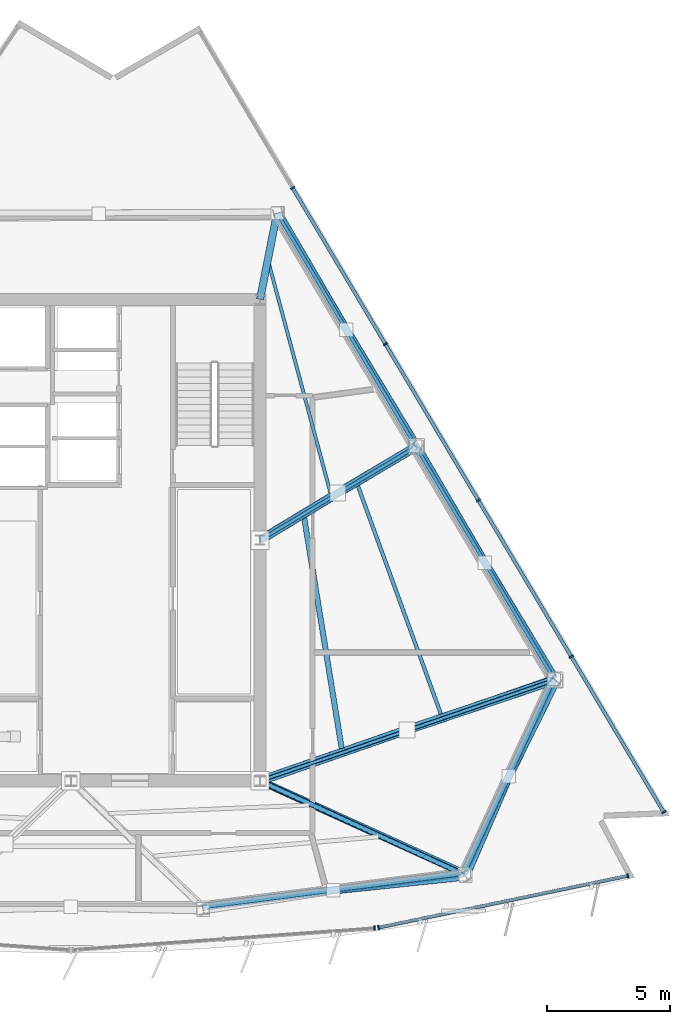
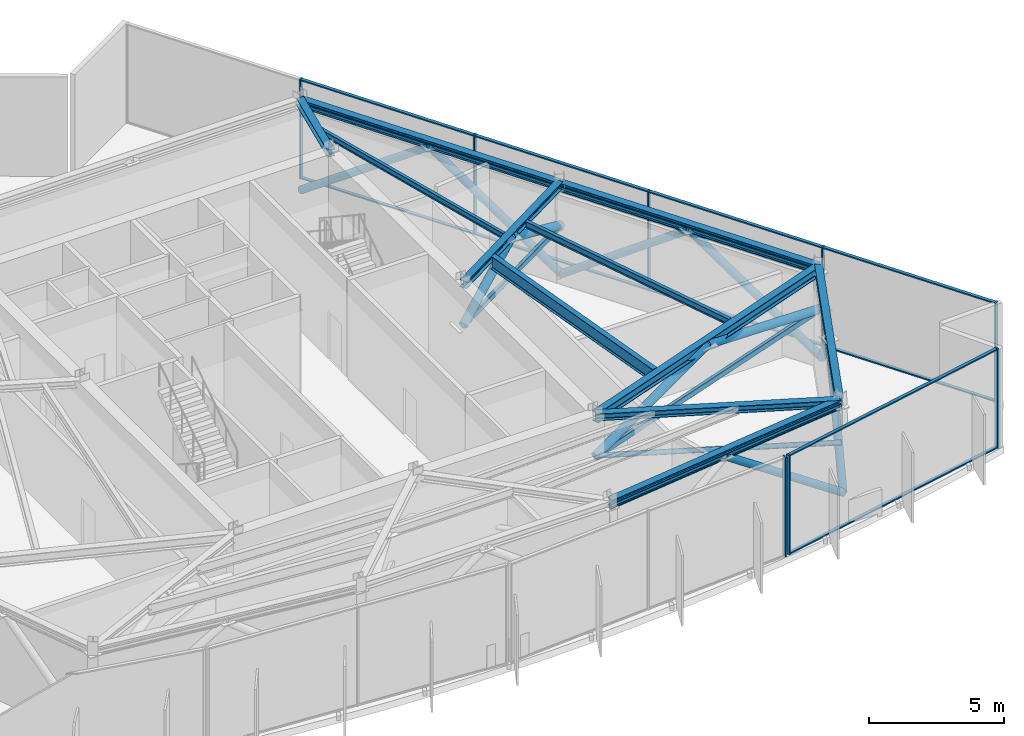
# One storey, part 5 of 14: 36 members, 11 beams, 3 elements without a shape of their own.
"""IFC4 building model written with IfcOpenShell, lengths in metres."""

from ifc_helpers import new_model, si_unit, direction, frame, origin, origin_2d, place, context, subcontext, project, spatial, rectangle, hollow_rectangle, hollow_circle, i_section, extrude, material, material_profile, profile_set, type_object, element, aggregate, save


model = new_model("IFC4")

# Units and contexts
model_context = context("Model", 3, precision=1e-05, world=origin(), true_north=direction((0.0, 1.0)))
body_context = subcontext(model_context, "Body", "Model", "MODEL_VIEW")
ifc_project = project(units=[si_unit("LENGTHUNIT", "METRE"), si_unit("AREAUNIT", "SQUARE_METRE"), si_unit("VOLUMEUNIT", "CUBIC_METRE"), si_unit("PLANEANGLEUNIT", "RADIAN"), si_unit("MASSUNIT", "GRAM", prefix="KILO")], contexts=[model_context])

# Site, building, storey
site_placement = place(None, origin())
site = spatial("IfcSite", under=ifc_project, at=site_placement, CompositionType="ELEMENT")
building_placement = place(site_placement, origin())
building = spatial("IfcBuilding", under=site, at=building_placement, Name="Savorim Split Tower", CompositionType="ELEMENT")
storey_placement = place(building_placement, frame((0.0, 0.0, 241.5)))
storey = spatial("IfcBuildingStorey", under=building, at=storey_placement, Name="L64", CompositionType="ELEMENT", Elevation=241.5)

# Beams
ifc_material_1 = material(Name="Steel S355", Category="steel")
ifc_material_profile_1 = material_profile(ifc_material_1, i_section(OverallWidth=0.135009765625, OverallDepth=0.27001953125, WebThickness=0.006591796875, FlangeThickness=0.01025390625, FilletRadius=0.014892578125, at=origin_2d()), Name="IPE 270")
ifc_profile_set_1 = profile_set([ifc_material_profile_1], Name="Steel S355")
beam_type_1 = type_object("IfcBeamType", Name="BM-JST-IPE270", PredefinedType="JOIST", material=ifc_profile_set_1)
beam_1_placement = place(storey_placement, frame((10.56982421875, 2.316162109375, 4.364990234375), z_axis=(-0.259425951012, 0.965763001953, 0.0), x_axis=(-0.965763001953, -0.259425951012, 0.0)))
element("IfcBeam", 1, at=beam_1_placement, inside=storey, type_object=beam_type_1, Name="L64 Secondary Floor Joist JS-07", PredefinedType="JOIST", context=body_context, shape_type="SweptSolid", body=[
    extrude(i_section(OverallWidth=0.135009765625, OverallDepth=0.27001953125, WebThickness=0.006591796875, FlangeThickness=0.01025390625, FilletRadius=0.014892578125, at=origin_2d()), origin(), (0.0, 0.0, 1.0), 9.67529296875),
])
ifc_material_profile_2 = material_profile(ifc_material_1, i_section(OverallWidth=0.14990234375, OverallDepth=0.300048828125, WebThickness=0.007080078125, FlangeThickness=0.0107421875, FilletRadius=0.014892578125, at=origin_2d()), Name="IPE 300")
ifc_profile_set_2 = profile_set([ifc_material_profile_2], Name="Steel S355")
beam_type_2 = type_object("IfcBeamType", Name="BM-JST-IPE300", PredefinedType="JOIST", material=ifc_profile_set_2)
beam_2_placement = place(storey_placement, frame((15.064453125, -6.677490234375, 4.35009765625), z_axis=(-0.342044057636, 0.939683916344, 0.0), x_axis=(-0.939683916344, -0.342044057636, 0.0)))
element("IfcBeam", 2, at=beam_2_placement, inside=storey, type_object=beam_type_2, Name="L64 Secondary Floor Joist JS-06", PredefinedType="JOIST", context=body_context, shape_type="SweptSolid", body=[
    extrude(i_section(OverallWidth=0.14990234375, OverallDepth=0.300048828125, WebThickness=0.007080078125, FlangeThickness=0.0107421875, FilletRadius=0.014892578125, at=origin_2d()), origin(), (0.0, 0.0, 1.0), 9.8984375),
])
ifc_material_profile_3 = material_profile(ifc_material_1, i_section(OverallWidth=0.219970703125, OverallDepth=0.60009765625, WebThickness=0.011962890625, FlangeThickness=0.01904296875, FilletRadius=0.02392578125, at=origin_2d()), Name="IPE 600")
ifc_profile_set_3 = profile_set([ifc_material_profile_3], Name="Steel S355")
beam_type_3 = type_object("IfcBeamType", Name="BM-JST-IPE600", PredefinedType="JOIST", material=ifc_profile_set_3)
beam_3_placement = place(storey_placement, frame((11.02490234375, -8.080322265625, 4.199951171875), z_axis=(-0.160441988875, 0.987045271609, 0.0), x_axis=(-0.987045271609, -0.160441988875, 0.0)))
element("IfcBeam", 3, at=beam_3_placement, inside=storey, type_object=beam_type_3, Name="L64 Secondary Floor Joist JS-08", PredefinedType="JOIST", context=body_context, shape_type="SweptSolid", body=[
    extrude(i_section(OverallWidth=0.219970703125, OverallDepth=0.60009765625, WebThickness=0.011962890625, FlangeThickness=0.01904296875, FilletRadius=0.02392578125, at=origin_2d()), origin(), (0.0, 0.0, 1.0), 9.51806640625),
])
ifc_material_profile_4 = material_profile(ifc_material_1, i_section(OverallWidth=0.300048828125, OverallDepth=0.320068359375, WebThickness=0.011474609375, FlangeThickness=0.0205078125, FilletRadius=0.027099609375, at=origin_2d()), Name="HEB 320")
ifc_profile_set_4 = profile_set([ifc_material_profile_4], Name="Steel S355")
beam_type_4 = type_object("IfcBeamType", Name="BM-PRI-HEB320", PredefinedType="BEAM", material=ifc_profile_set_4)
beam_4_placement = place(storey_placement, frame((16.001708984375, -13.169189453125, 4.340087890625), z_axis=(-0.910541549997, 0.413417568239, 0.0), x_axis=(-0.413417568239, -0.910541549997, 0.0)))
element("IfcBeam", 4, at=beam_4_placement, inside=storey, type_object=beam_type_4, Name="L64 Primary Floor Girder RG-04", PredefinedType="BEAM", context=body_context, shape_type="SweptSolid", body=[
    extrude(i_section(OverallWidth=0.300048828125, OverallDepth=0.320068359375, WebThickness=0.011474609375, FlangeThickness=0.0205078125, FilletRadius=0.027099609375, at=origin_2d()), origin(), (0.0, 0.0, 1.0), 9.117431640625),
])
beam_5_placement = place(storey_placement, frame((14.029052734375, 4.2294921875, 4.340087890625), z_axis=(-0.855570861127, -0.517685717005, 0.0), x_axis=(0.517685717005, -0.855570861127, 0.0)))
element("IfcBeam", 5, at=beam_5_placement, inside=storey, type_object=beam_type_4, Name="L64 Primary Floor Girder RG-06", PredefinedType="BEAM", context=body_context, shape_type="SweptSolid", body=[
    extrude(i_section(OverallWidth=0.300048828125, OverallDepth=0.320068359375, WebThickness=0.011474609375, FlangeThickness=0.0205078125, FilletRadius=0.027099609375, at=origin_2d()), origin(), (0.0, 0.0, 1.0), 7.3974609375),
])
beam_6_placement = place(storey_placement, frame((8.3916015625, 13.7099609375, 4.340087890625), z_axis=(-0.193333121011, -0.981133173591, 0.0), x_axis=(0.981133173591, -0.193333121011, 0.0)))
element("IfcBeam", 6, at=beam_6_placement, inside=storey, type_object=beam_type_4, Name="L64 Primary Floor Girder RG-07", PredefinedType="BEAM", context=body_context, shape_type="SweptSolid", body=[
    extrude(i_section(OverallWidth=0.300048828125, OverallDepth=0.320068359375, WebThickness=0.011474609375, FlangeThickness=0.0205078125, FilletRadius=0.027099609375, at=origin_2d()), origin(), (0.0, 0.0, 1.0), 3.577392578125),
])
ifc_material_profile_5 = material_profile(ifc_material_1, i_section(OverallWidth=0.300048828125, OverallDepth=0.449951171875, WebThickness=0.013916015625, FlangeThickness=0.02587890625, FilletRadius=0.027099609375, at=origin_2d()), Name="HEB 450")
ifc_profile_set_5 = profile_set([ifc_material_profile_5], Name="Steel S355")
beam_type_5 = type_object("IfcBeamType", Name="BM-PRI-HEB450", PredefinedType="BEAM", material=ifc_profile_set_5)
beam_7_placement = place(storey_placement, frame((19.66650390625, -5.251220703125, 4.27490234375), z_axis=(-0.944829437355, -0.327562718127, 0.0), x_axis=(0.327562718127, -0.944829437355, 0.0)))
element("IfcBeam", 7, at=beam_7_placement, inside=storey, type_object=beam_type_5, Name="L64 Primary Floor Girder RG-05", PredefinedType="BEAM", context=body_context, shape_type="SweptSolid", body=[
    extrude(i_section(OverallWidth=0.300048828125, OverallDepth=0.449951171875, WebThickness=0.013916015625, FlangeThickness=0.02587890625, FilletRadius=0.027099609375, at=origin_2d()), origin(), (0.0, 0.0, 1.0), 12.665283203125),
])
ifc_material_profile_6 = material_profile(ifc_material_1, i_section(OverallWidth=0.300048828125, OverallDepth=0.35009765625, WebThickness=0.010009765625, FlangeThickness=0.017578125, FilletRadius=0.027099609375, at=origin_2d()), Name="HEA 360")
ifc_profile_set_6 = profile_set([ifc_material_profile_6], Name="Steel S355")
beam_type_6 = type_object("IfcBeamType", Name="BM-SPN-HEA360", PredefinedType="SPANDREL", material=ifc_profile_set_6)
beam_8_placement = place(storey_placement, frame((5.363037109375, -14.534912109375, 4.324951171875), z_axis=(0.991860597324, 0.127328533629, 0.0), x_axis=(-0.127328533629, 0.991860597324, 0.0)))
element("IfcBeam", 8, at=beam_8_placement, inside=storey, type_object=beam_type_6, Name="L64 Perimeter Spandrel Beam 3", PredefinedType="SPANDREL", context=body_context, shape_type="SweptSolid", body=[
    extrude(i_section(OverallWidth=0.300048828125, OverallDepth=0.35009765625, WebThickness=0.010009765625, FlangeThickness=0.017578125, FilletRadius=0.027099609375, at=origin_2d()), origin(), (0.0, 0.0, 1.0), 10.72607421875),
])
beam_9_placement = place(storey_placement, frame((16.001708984375, -13.169189453125, 4.324951171875), z_axis=(0.420035661542, 0.907507599435, 0.0), x_axis=(-0.907507599435, 0.420035661542, 0.0)))
element("IfcBeam", 9, at=beam_9_placement, inside=storey, type_object=beam_type_6, Name="L64 Perimeter Spandrel Beam 4", PredefinedType="SPANDREL", context=body_context, shape_type="SweptSolid", body=[
    extrude(i_section(OverallWidth=0.300048828125, OverallDepth=0.35009765625, WebThickness=0.010009765625, FlangeThickness=0.017578125, FilletRadius=0.027099609375, at=origin_2d()), origin(), (0.0, 0.0, 1.0), 8.724853515625),
])
beam_10_placement = place(storey_placement, frame((19.66650390625, -5.251220703125, 4.324951171875), z_axis=(-0.511093513164, 0.859525113538, 0.0), x_axis=(-0.859525113538, -0.511093513164, 0.0)))
element("IfcBeam", 10, at=beam_10_placement, inside=storey, type_object=beam_type_6, Name="L64 Perimeter Spandrel Beam 5", PredefinedType="SPANDREL", context=body_context, shape_type="SweptSolid", body=[
    extrude(i_section(OverallWidth=0.300048828125, OverallDepth=0.35009765625, WebThickness=0.010009765625, FlangeThickness=0.017578125, FilletRadius=0.027099609375, at=origin_2d()), origin(), (0.0, 0.0, 1.0), 11.0302734375),
])
beam_11_placement = place(storey_placement, frame((14.029052734375, 4.2294921875, 4.324951171875), z_axis=(-0.511103236681, 0.859519331635, 0.0), x_axis=(-0.859519331635, -0.511103236681, 0.0)))
element("IfcBeam", 11, at=beam_11_placement, inside=storey, type_object=beam_type_6, Name="L64 Perimeter Spandrel Beam 6", PredefinedType="SPANDREL", context=body_context, shape_type="SweptSolid", body=[
    extrude(i_section(OverallWidth=0.300048828125, OverallDepth=0.35009765625, WebThickness=0.010009765625, FlangeThickness=0.017578125, FilletRadius=0.027099609375, at=origin_2d()), origin(), (0.0, 0.0, 1.0), 11.030029296875),
])

# Curtain wall, member
ifc_material_2 = material(Name="Dark Ceramic-Fritted Insulated Glass", Category="glass")
curtain_wall_type = type_object("IfcCurtainWallType", Name="CW-REFUGE-LVR", PredefinedType="NOTDEFINED", material=ifc_material_2)
curtain_wall_1_placement = place(storey_placement, origin())
curtain_wall_1 = element("IfcCurtainWall", 12, at=curtain_wall_1_placement, inside=storey, type_object=curtain_wall_type, Name="L64 Curtain Wall CW-L64-SF3", PredefinedType="NOTDEFINED")
ifc_material_3 = material(Name="Charcoal Anodised Aluminium", Category="aluminium")
ifc_material_profile_7 = material_profile(ifc_material_3, rectangle(XDim=0.179931640625, YDim=0.06494140625, at=origin_2d()), Name="ALU-M 180x65")
ifc_profile_set_7 = profile_set([ifc_material_profile_7], Name="Charcoal Anodised Aluminium")
member_type_1 = type_object("IfcMemberType", Name="CWM-180x65", PredefinedType="MULLION", material=ifc_profile_set_7)
member_1_placement = place(storey_placement, frame((12.359619140625, -15.396240234375, 0.0), z_axis=(0.0, 0.0, 1.0), x_axis=(-0.071562386711, 0.997436125678, 0.0)))
member_1 = element("IfcMember", 13, at=member_1_placement, type_object=member_type_1, Name="CW-06 mullion 3", PredefinedType="MULLION", context=body_context, shape_type="SweptSolid", body=[
    extrude(rectangle(XDim=0.179931640625, YDim=0.06494140625, at=origin_2d()), origin(), (0.0, 0.0, 1.0), 4.5),
])
aggregate(curtain_wall_1, [member_1])

# Curtain wall, members
curtain_wall_2_placement = place(storey_placement, origin())
curtain_wall_2 = element("IfcCurtainWall", 14, at=curtain_wall_2_placement, inside=storey, type_object=curtain_wall_type, Name="L64 Curtain Wall CW-L64-SF4", PredefinedType="NOTDEFINED")
member_2_placement = place(storey_placement, frame((12.526611328125, -15.372802734375, 0.0), z_axis=(0.0, 0.0, 1.0), x_axis=(-0.20320761208, 0.979135673129, 0.0)))
member_2 = element("IfcMember", 15, at=member_2_placement, type_object=member_type_1, Name="CW-06 mullion 1", PredefinedType="MULLION", context=body_context, shape_type="SweptSolid", body=[
    extrude(rectangle(XDim=0.179931640625, YDim=0.06494140625, at=origin_2d()), origin(), (0.0, 0.0, 1.0), 4.5),
])
member_3_placement = place(storey_placement, frame((22.675537109375, -13.2666015625, 0.0), z_axis=(0.0, 0.0, 1.0), x_axis=(-0.20320761208, 0.979135673129, 0.0)))
member_3 = element("IfcMember", 16, at=member_3_placement, type_object=member_type_1, Name="CW-06 mullion 2", PredefinedType="MULLION", context=body_context, shape_type="SweptSolid", body=[
    extrude(rectangle(XDim=0.179931640625, YDim=0.06494140625, at=origin_2d()), origin(), (0.0, 0.0, 1.0), 4.5),
])

curtain_wall_3_placement = place(storey_placement, origin())
curtain_wall_3 = element("IfcCurtainWall", 17, at=curtain_wall_3_placement, inside=storey, type_object=curtain_wall_type, Name="L64 Curtain Wall CW-L64-EAST", PredefinedType="NOTDEFINED")
member_4_placement = place(storey_placement, frame((24.13720703125, -10.6767578125, 0.0), z_axis=(0.0, 0.0, 1.0), x_axis=(-0.859526936773, -0.511090446947, 0.0)))
member_4 = element("IfcMember", 18, at=member_4_placement, type_object=member_type_1, Name="CW-06 mullion 1", PredefinedType="MULLION", context=body_context, shape_type="SweptSolid", body=[
    extrude(rectangle(XDim=0.179931640625, YDim=0.06494140625, at=origin_2d()), origin(), (0.0, 0.0, 1.0), 4.5),
])
member_5_placement = place(storey_placement, frame((20.37109375, -4.34326171875, 0.0), z_axis=(0.0, 0.0, 1.0), x_axis=(-0.859526936773, -0.511090446947, 0.0)))
member_5 = element("IfcMember", 19, at=member_5_placement, type_object=member_type_1, Name="CW-06 mullion 2", PredefinedType="MULLION", context=body_context, shape_type="SweptSolid", body=[
    extrude(rectangle(XDim=0.179931640625, YDim=0.06494140625, at=origin_2d()), origin(), (0.0, 0.0, 1.0), 4.5),
])
member_6_placement = place(storey_placement, frame((16.58837890625, 2.018310546875, 0.0), z_axis=(0.0, 0.0, 1.0), x_axis=(-0.859526936773, -0.511090446947, 0.0)))
member_6 = element("IfcMember", 20, at=member_6_placement, type_object=member_type_1, Name="CW-06 mullion 3", PredefinedType="MULLION", context=body_context, shape_type="SweptSolid", body=[
    extrude(rectangle(XDim=0.179931640625, YDim=0.06494140625, at=origin_2d()), origin(), (0.0, 0.0, 1.0), 4.5),
])
member_7_placement = place(storey_placement, frame((12.8056640625, 8.3798828125, 0.0), z_axis=(0.0, 0.0, 1.0), x_axis=(-0.859526936773, -0.511090446947, 0.0)))
member_7 = element("IfcMember", 21, at=member_7_placement, type_object=member_type_1, Name="CW-06 mullion 4", PredefinedType="MULLION", context=body_context, shape_type="SweptSolid", body=[
    extrude(rectangle(XDim=0.179931640625, YDim=0.06494140625, at=origin_2d()), origin(), (0.0, 0.0, 1.0), 4.5),
])
member_8_placement = place(storey_placement, frame((9.02294921875, 14.741455078125, 0.0), z_axis=(0.0, 0.0, 1.0), x_axis=(-0.859526936773, -0.511090446947, 0.0)))
member_8 = element("IfcMember", 22, at=member_8_placement, type_object=member_type_1, Name="CW-06 mullion 5", PredefinedType="MULLION", context=body_context, shape_type="SweptSolid", body=[
    extrude(rectangle(XDim=0.179931640625, YDim=0.06494140625, at=origin_2d()), origin(), (0.0, 0.0, 1.0), 4.5),
])

# Member
ifc_material_profile_8 = material_profile(ifc_material_3, rectangle(XDim=0.139892578125, YDim=0.054931640625, at=origin_2d()), Name="ALU-T 140x55")
ifc_profile_set_8 = profile_set([ifc_material_profile_8], Name="Charcoal Anodised Aluminium")
member_type_2 = type_object("IfcMemberType", Name="CWT-140x55", PredefinedType="USERDEFINED", material=ifc_profile_set_8)
member_9_placement = place(storey_placement, frame((12.558349609375, -15.3662109375, 0.027587890625), z_axis=(0.979137485667, 0.20319887835, 0.0), x_axis=(-0.20319887835, 0.979137485667, 0.0)))
member_9 = element("IfcMember", 23, at=member_9_placement, type_object=member_type_2, Name="CW-06 transom 1.1", ObjectType="TRANSOM", PredefinedType="USERDEFINED", context=body_context, shape_type="SweptSolid", body=[
    extrude(rectangle(XDim=0.139892578125, YDim=0.054931640625, at=origin_2d()), origin(), (0.0, 0.0, 1.0), 10.30029296875),
])

member_10_placement = place(storey_placement, frame((12.558349609375, -15.3662109375, 4.472412109375), z_axis=(0.979137485667, 0.20319887835, 0.0), x_axis=(-0.20319887835, 0.979137485667, 0.0)))
member_10 = element("IfcMember", 24, at=member_10_placement, type_object=member_type_2, Name="CW-06 transom 1.2", ObjectType="TRANSOM", PredefinedType="USERDEFINED", context=body_context, shape_type="SweptSolid", body=[
    extrude(rectangle(XDim=0.139892578125, YDim=0.054931640625, at=origin_2d()), origin(), (0.0, 0.0, 1.0), 10.30029296875),
])

aggregate(curtain_wall_2, [member_2, member_3, member_9, member_10])

member_11_placement = place(storey_placement, frame((24.120361328125, -10.64892578125, 0.027587890625), z_axis=(-0.511065380978, 0.859541840963, 0.0), x_axis=(-0.859541840963, -0.511065380978, 0.0)))
member_11 = element("IfcMember", 25, at=member_11_placement, type_object=member_type_2, Name="CW-06 transom 1.1", ObjectType="TRANSOM", PredefinedType="USERDEFINED", context=body_context, shape_type="SweptSolid", body=[
    extrude(rectangle(XDim=0.139892578125, YDim=0.054931640625, at=origin_2d()), origin(), (0.0, 0.0, 1.0), 7.3037109375),
])

member_12_placement = place(storey_placement, frame((24.120361328125, -10.64892578125, 4.472412109375), z_axis=(-0.511065380978, 0.859541840963, 0.0), x_axis=(-0.859541840963, -0.511065380978, 0.0)))
member_12 = element("IfcMember", 26, at=member_12_placement, type_object=member_type_2, Name="CW-06 transom 1.2", ObjectType="TRANSOM", PredefinedType="USERDEFINED", context=body_context, shape_type="SweptSolid", body=[
    extrude(rectangle(XDim=0.139892578125, YDim=0.054931640625, at=origin_2d()), origin(), (0.0, 0.0, 1.0), 7.3037109375),
])

member_13_placement = place(storey_placement, frame((20.3544921875, -4.315185546875, 0.027587890625), z_axis=(-0.511095327674, 0.859524034585, 0.0), x_axis=(-0.859524034585, -0.511095327674, 0.0)))
member_13 = element("IfcMember", 27, at=member_13_placement, type_object=member_type_2, Name="CW-06 transom 2.1", ObjectType="TRANSOM", PredefinedType="USERDEFINED", context=body_context, shape_type="SweptSolid", body=[
    extrude(rectangle(XDim=0.139892578125, YDim=0.054931640625, at=origin_2d()), origin(), (0.0, 0.0, 1.0), 7.336181640625),
])

member_14_placement = place(storey_placement, frame((20.3544921875, -4.315185546875, 4.472412109375), z_axis=(-0.511095327674, 0.859524034585, 0.0), x_axis=(-0.859524034585, -0.511095327674, 0.0)))
member_14 = element("IfcMember", 28, at=member_14_placement, type_object=member_type_2, Name="CW-06 transom 2.2", ObjectType="TRANSOM", PredefinedType="USERDEFINED", context=body_context, shape_type="SweptSolid", body=[
    extrude(rectangle(XDim=0.139892578125, YDim=0.054931640625, at=origin_2d()), origin(), (0.0, 0.0, 1.0), 7.336181640625),
])

member_15_placement = place(storey_placement, frame((16.57177734375, 2.046142578125, 0.027587890625), z_axis=(-0.511080708698, 0.85953272724, 0.0), x_axis=(-0.85953272724, -0.511080708698, 0.0)))
member_15 = element("IfcMember", 29, at=member_15_placement, type_object=member_type_2, Name="CW-06 transom 3.1", ObjectType="TRANSOM", PredefinedType="USERDEFINED", context=body_context, shape_type="SweptSolid", body=[
    extrude(rectangle(XDim=0.139892578125, YDim=0.054931640625, at=origin_2d()), origin(), (0.0, 0.0, 1.0), 7.33642578125),
])

member_16_placement = place(storey_placement, frame((16.57177734375, 2.046142578125, 4.472412109375), z_axis=(-0.511080708698, 0.85953272724, 0.0), x_axis=(-0.85953272724, -0.511080708698, 0.0)))
member_16 = element("IfcMember", 30, at=member_16_placement, type_object=member_type_2, Name="CW-06 transom 3.2", ObjectType="TRANSOM", PredefinedType="USERDEFINED", context=body_context, shape_type="SweptSolid", body=[
    extrude(rectangle(XDim=0.139892578125, YDim=0.054931640625, at=origin_2d()), origin(), (0.0, 0.0, 1.0), 7.33642578125),
])

member_17_placement = place(storey_placement, frame((12.7890625, 8.40771484375, 0.027587890625), z_axis=(-0.511080708698, 0.85953272724, 0.0), x_axis=(-0.85953272724, -0.511080708698, 0.0)))
member_17 = element("IfcMember", 31, at=member_17_placement, type_object=member_type_2, Name="CW-06 transom 4.1", ObjectType="TRANSOM", PredefinedType="USERDEFINED", context=body_context, shape_type="SweptSolid", body=[
    extrude(rectangle(XDim=0.139892578125, YDim=0.054931640625, at=origin_2d()), origin(), (0.0, 0.0, 1.0), 7.33642578125),
])

member_18_placement = place(storey_placement, frame((12.7890625, 8.40771484375, 4.472412109375), z_axis=(-0.511080708698, 0.85953272724, 0.0), x_axis=(-0.85953272724, -0.511080708698, 0.0)))
member_18 = element("IfcMember", 32, at=member_18_placement, type_object=member_type_2, Name="CW-06 transom 4.2", ObjectType="TRANSOM", PredefinedType="USERDEFINED", context=body_context, shape_type="SweptSolid", body=[
    extrude(rectangle(XDim=0.139892578125, YDim=0.054931640625, at=origin_2d()), origin(), (0.0, 0.0, 1.0), 7.33642578125),
])

aggregate(curtain_wall_3, [member_4, member_5, member_6, member_7, member_8, member_11, member_12, member_13, member_14, member_15, member_16, member_17, member_18])

# Members
ifc_material_profile_9 = material_profile(ifc_material_1, hollow_circle(Radius=0.109619140625, WallThickness=0.012451171875, at=origin_2d()), Name="CHS 219.1x12.5")
ifc_profile_set_9 = profile_set([ifc_material_profile_9], Name="Steel S355")
member_type_3 = type_object("IfcMemberType", Name="MBR-BAY-CHS219", PredefinedType="BRACE", material=ifc_profile_set_9)
member_19_placement = place(storey_placement, frame((7.699951171875, -9.39990234375, 2.52001953125), z_axis=(0.908802584793, -0.417226391631, 0.0), x_axis=(0.417226391631, 0.908802584793, 0.0)))
element("IfcMember", 33, at=member_19_placement, inside=storey, type_object=member_type_3, Name="L64 Secondary Belt Tie Strut 2", PredefinedType="BRACE", context=body_context, shape_type="SweptSolid", body=[
    extrude(hollow_circle(Radius=0.109619140625, WallThickness=0.012451171875, at=origin_2d()), origin(), (0.0, 0.0, 1.0), 9.174560546875),
])
ifc_material_4 = material(Name="Steel S460", Category="steel")
ifc_material_profile_10 = material_profile(ifc_material_4, hollow_circle(Radius=0.161865234375, WallThickness=0.01611328125, at=origin_2d()), Name="CHS 323.9x16")
ifc_profile_set_10 = profile_set([ifc_material_profile_10], Name="Steel S460")
member_type_4 = type_object("IfcMemberType", Name="MBR-BLT-CHS324", PredefinedType="BRACE", material=ifc_profile_set_10)
member_20_placement = place(storey_placement, frame((16.073486328125, -13.28564453125, 0.280029296875), z_axis=(-0.80801514197, -0.084892452195, 0.583013552079), x_axis=(0.104487849768, -0.994526163181, 0.0)))
element("IfcMember", 34, at=member_20_placement, inside=storey, type_object=member_type_4, Name="L64 Perimeter Belt Truss Brace 3B", PredefinedType="BRACE", context=body_context, shape_type="SweptSolid", body=[
    extrude(hollow_circle(Radius=0.161865234375, WallThickness=0.01611328125, at=origin_2d()), origin(), (0.0, 0.0, 1.0), 6.672119140625),
])
member_21_placement = place(storey_placement, frame((16.073486328125, -13.28564453125, 0.280029296875), z_axis=(0.298261755044, 0.690456729574, 0.659021570257), x_axis=(-0.918009123278, 0.396559263641, 0.0)))
element("IfcMember", 35, at=member_21_placement, inside=storey, type_object=member_type_4, Name="L64 Perimeter Belt Truss Brace 4A", PredefinedType="BRACE", context=body_context, shape_type="SweptSolid", body=[
    extrude(hollow_circle(Radius=0.161865234375, WallThickness=0.01611328125, at=origin_2d()), origin(), (0.0, 0.0, 1.0), 5.902587890625),
])
member_22_placement = place(storey_placement, frame((19.757080078125, -5.326171875, 0.280029296875), z_axis=(-0.330219886887, -0.666937689537, 0.66794381843), x_axis=(0.896166626959, -0.443717676822, 0.0)))
element("IfcMember", 36, at=member_22_placement, inside=storey, type_object=member_type_4, Name="L64 Perimeter Belt Truss Brace 4B", PredefinedType="BRACE", context=body_context, shape_type="SweptSolid", body=[
    extrude(hollow_circle(Radius=0.161865234375, WallThickness=0.01611328125, at=origin_2d()), origin(), (0.0, 0.0, 1.0), 5.82373046875),
])
member_23_placement = place(storey_placement, frame((19.757080078125, -5.326171875, 0.280029296875), z_axis=(-0.42533069632, 0.704030098542, 0.568713828841), x_axis=(-0.855926745845, -0.517097095087, 0.0)))
element("IfcMember", 37, at=member_23_placement, inside=storey, type_object=member_type_4, Name="L64 Perimeter Belt Truss Brace 5A", PredefinedType="BRACE", context=body_context, shape_type="SweptSolid", body=[
    extrude(hollow_circle(Radius=0.161865234375, WallThickness=0.01611328125, at=origin_2d()), origin(), (0.0, 0.0, 1.0), 6.83984375),
])
member_24_placement = place(storey_placement, frame((14.0947265625, 4.1962890625, 0.280029296875), z_axis=(0.411025066747, -0.702719099661, 0.580727355544), x_axis=(0.863187234985, 0.504883944446, 0.0)))
element("IfcMember", 38, at=member_24_placement, inside=storey, type_object=member_type_4, Name="L64 Perimeter Belt Truss Brace 5B", PredefinedType="BRACE", context=body_context, shape_type="SweptSolid", body=[
    extrude(hollow_circle(Radius=0.161865234375, WallThickness=0.01611328125, at=origin_2d()), origin(), (0.0, 0.0, 1.0), 6.6982421875),
])
member_25_placement = place(storey_placement, frame((14.0947265625, 4.1962890625, 0.280029296875), z_axis=(-0.424176662474, 0.702006272617, 0.57206761158), x_axis=(-0.855889707337, -0.517158398245, 0.0)))
element("IfcMember", 39, at=member_25_placement, inside=storey, type_object=member_type_4, Name="L64 Perimeter Belt Truss Brace 6A", PredefinedType="BRACE", context=body_context, shape_type="SweptSolid", body=[
    extrude(hollow_circle(Radius=0.161865234375, WallThickness=0.01611328125, at=origin_2d()), origin(), (0.0, 0.0, 1.0), 6.7998046875),
])
member_26_placement = place(storey_placement, frame((8.4326171875, 13.718994140625, 0.280029296875), z_axis=(0.41225217239, -0.704828749297, 0.577290724441), x_axis=(0.86319088696, 0.504877700706, 0.0)))
element("IfcMember", 40, at=member_26_placement, inside=storey, type_object=member_type_4, Name="L64 Perimeter Belt Truss Brace 6B", PredefinedType="BRACE", context=body_context, shape_type="SweptSolid", body=[
    extrude(hollow_circle(Radius=0.161865234375, WallThickness=0.01611328125, at=origin_2d()), origin(), (0.0, 0.0, 1.0), 6.73828125),
])
ifc_material_profile_11 = material_profile(ifc_material_4, hollow_circle(Radius=0.177734375, WallThickness=0.02001953125, at=origin_2d()), Name="CHS 355.6x20")
ifc_profile_set_11 = profile_set([ifc_material_profile_11], Name="Steel S460")
member_type_5 = type_object("IfcMemberType", Name="MBR-BLT-CHS355", PredefinedType="BRACE", material=ifc_profile_set_11)
member_27_placement = place(storey_placement, frame((7.699951171875, -9.39990234375, 2.47998046875), z_axis=(0.911788358863, 0.316132765547, 0.262110784192), x_axis=(-0.327585892187, 0.944821402827, 0.0)))
element("IfcMember", 41, at=member_27_placement, inside=storey, type_object=member_type_5, Name="L64 Outrigger Truss Diagonal E1-A", PredefinedType="BRACE", context=body_context, shape_type="SweptSolid", body=[
    extrude(hollow_circle(Radius=0.177734375, WallThickness=0.02001953125, at=origin_2d()), origin(), (0.0, 0.0, 1.0), 6.56201171875),
])
member_28_placement = place(storey_placement, frame((13.68310546875, -7.325439453125, 4.199951171875), z_axis=(0.914649485482, 0.308784007205, -0.260899895749), x_axis=(-0.319862157837, 0.947464089021, 0.0)))
element("IfcMember", 42, at=member_28_placement, inside=storey, type_object=member_type_5, Name="L64 Outrigger Truss Diagonal E1-B", PredefinedType="BRACE", context=body_context, shape_type="SweptSolid", body=[
    extrude(hollow_circle(Radius=0.177734375, WallThickness=0.02001953125, at=origin_2d()), origin(), (0.0, 0.0, 1.0), 6.592529296875),
])
member_29_placement = place(storey_placement, frame((7.699951171875, 0.39990234375, 2.47998046875), z_axis=(0.775794839198, 0.469415130677, 0.42165365238), x_axis=(-0.517685717005, 0.855570861127, 0.0)))
element("IfcMember", 43, at=member_29_placement, inside=storey, type_object=member_type_5, Name="L64 Outrigger Truss Diagonal E2-A", PredefinedType="BRACE", context=body_context, shape_type="SweptSolid", body=[
    extrude(hollow_circle(Radius=0.177734375, WallThickness=0.02001953125, at=origin_2d()), origin(), (0.0, 0.0, 1.0), 4.0791015625),
])
member_30_placement = place(storey_placement, frame((10.864501953125, 2.314697265625, 4.199951171875), z_axis=(0.78056218937, 0.463153427326, -0.419775620161), x_axis=(-0.510289977444, 0.860002406345, 0.0)))
element("IfcMember", 44, at=member_30_placement, inside=storey, type_object=member_type_5, Name="L64 Outrigger Truss Diagonal E2-B", PredefinedType="BRACE", context=body_context, shape_type="SweptSolid", body=[
    extrude(hollow_circle(Radius=0.177734375, WallThickness=0.02001953125, at=origin_2d()), origin(), (0.0, 0.0, 1.0), 4.097412109375),
])
ifc_material_profile_12 = material_profile(ifc_material_1, hollow_rectangle(XDim=0.14990234375, YDim=0.25, WallThickness=0.012451171875, InnerFilletRadius=0.012451171875, OuterFilletRadius=0.02490234375, at=origin_2d()), Name="RHS 250x150x12.5")
ifc_profile_set_12 = profile_set([ifc_material_profile_12], Name="Steel S355")
member_type_6 = type_object("IfcMemberType", Name="MBR-CHD-RHS250", PredefinedType="CHORD", material=ifc_profile_set_12)
member_31_placement = place(storey_placement, frame((5.3662109375, -14.552001953125, 4.169921875), z_axis=(0.991859432249, 0.127337608975, 0.0), x_axis=(-0.127337608975, 0.991859432249, 0.0)))
element("IfcMember", 45, at=member_31_placement, inside=storey, type_object=member_type_6, Name="L64 Perimeter Belt Truss Chord 3", PredefinedType="CHORD", context=body_context, shape_type="SweptSolid", body=[
    extrude(hollow_rectangle(XDim=0.14990234375, YDim=0.25, WallThickness=0.012451171875, InnerFilletRadius=0.012451171875, OuterFilletRadius=0.02490234375, at=origin_2d()), origin(), (0.0, 0.0, 1.0), 10.73291015625),
])
member_32_placement = place(storey_placement, frame((16.01171875, -13.185302734375, 4.169921875), z_axis=(0.420043826479, 0.907503820288, 0.0), x_axis=(-0.907503820288, 0.420043826479, 0.0)))
element("IfcMember", 46, at=member_32_placement, inside=storey, type_object=member_type_6, Name="L64 Perimeter Belt Truss Chord 4", PredefinedType="CHORD", context=body_context, shape_type="SweptSolid", body=[
    extrude(hollow_rectangle(XDim=0.14990234375, YDim=0.25, WallThickness=0.012451171875, InnerFilletRadius=0.012451171875, OuterFilletRadius=0.02490234375, at=origin_2d()), origin(), (0.0, 0.0, 1.0), 8.731201171875),
])
for number, where, z_axis, x_axis, name in (
    (47, (19.67919921875, -5.26171875, 4.169921875), (-0.511089085182, 0.859527746502, 0.0), (-0.859527746502, -0.511089085182, 0.0), "L64 Perimeter Belt Truss Chord 5"),
    (48, (14.038330078125, 4.224853515625, 4.169921875), (-0.511098802669, 0.859521968254, 0.0), (-0.859521968254, -0.511098802669, 0.0), "L64 Perimeter Belt Truss Chord 6"),
):
    element("IfcMember", number, at=place(storey_placement, frame(where, z_axis=z_axis, x_axis=x_axis)), inside=storey, type_object=member_type_6, Name=name, PredefinedType="CHORD", context=body_context, shape_type="SweptSolid", body=[
        extrude(hollow_rectangle(XDim=0.14990234375, YDim=0.25, WallThickness=0.012451171875, InnerFilletRadius=0.012451171875, OuterFilletRadius=0.02490234375, at=origin_2d()), origin(), (0.0, 0.0, 1.0), 11.036865234375),
    ])
member_33_placement = place(storey_placement, frame((7.699951171875, -9.39990234375, 2.47998046875), z_axis=(0.946153911123, 0.323717124149, 0.0), x_axis=(-0.323717124149, 0.946153911123, 0.0)))
element("IfcMember", 49, at=member_33_placement, inside=storey, type_object=member_type_6, Name="L64 Outrigger Bottom Chord E1", PredefinedType="CHORD", context=body_context, shape_type="SweptSolid", body=[
    extrude(hollow_rectangle(XDim=0.14990234375, YDim=0.25, WallThickness=0.012451171875, InnerFilletRadius=0.012451171875, OuterFilletRadius=0.02490234375, at=origin_2d()), origin(), (0.0, 0.0, 1.0), 12.696533203125),
])
member_34_placement = place(storey_placement, frame((7.699951171875, 0.39990234375, 2.47998046875), z_axis=(0.85780061347, 0.51398259458, 0.0), x_axis=(-0.51398259458, 0.85780061347, 0.0)))
element("IfcMember", 50, at=member_34_placement, inside=storey, type_object=member_type_6, Name="L64 Outrigger Bottom Chord E2", PredefinedType="CHORD", context=body_context, shape_type="SweptSolid", body=[
    extrude(hollow_rectangle(XDim=0.14990234375, YDim=0.25, WallThickness=0.012451171875, InnerFilletRadius=0.012451171875, OuterFilletRadius=0.02490234375, at=origin_2d()), origin(), (0.0, 0.0, 1.0), 7.41748046875),
])

save(model, "model.ifc")
